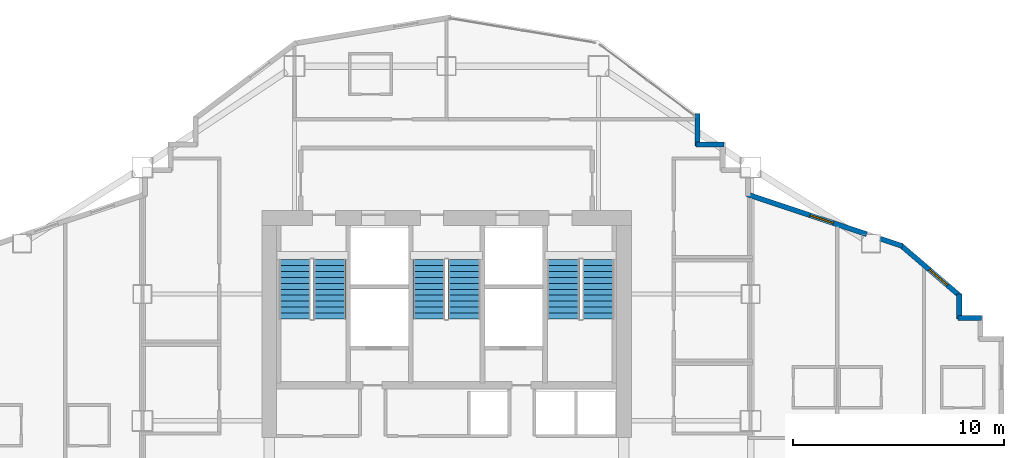
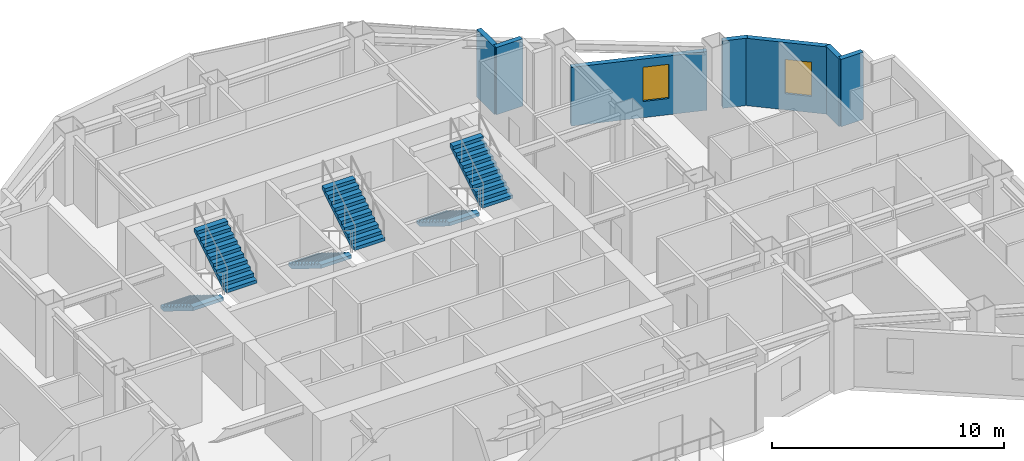
# One storey, part 13 of 15: 7 walls, 6 stair flights, 2 windows, 2 openings, 3 elements without a shape of their own.
"""IFC4 building model written with IfcOpenShell, lengths in metres."""

import ifcopenshell
import ifcopenshell.guid

model = None  # the IFC model being written
_history = None  # IfcOwnerHistory: only IFC2X3 demands one
_inside = {}  # id of a spatial element -> (the spatial element, [elements in it])
_under = {}  # id of a project, library or spatial element -> (it, [spatial elements below it])
_declared = {}  # id of a project -> (the project, [libraries it declares])
_typed = {}  # id of a type object -> (the type object, [elements of that type])
_made_of = {}  # id of a material, layer set ... -> (it, [elements and type objects made of it])


def new_model(schema):
    """Start an empty IFC model of exactly this schema.

    Asked for "IFC4X3", IfcOpenShell would pick the latest addendum, in which some entities
    have other attributes; the version numbers below select the first issue.
    IFC2X3 requires an IfcOwnerHistory on every rooted entity: one is made here for all.
    """
    global model, _history
    if schema == "IFC4X3":
        model = ifcopenshell.file(schema_version=(4, 3, 0, 0))
    else:
        model = ifcopenshell.file(schema=schema)
    _inside.clear()
    _under.clear()
    _declared.clear()
    _typed.clear()
    _made_of.clear()
    _history = None
    if model.schema == "IFC2X3":
        org = make("IfcOrganization", Name="unknown")
        user = make(
            "IfcPersonAndOrganization",
            ThePerson=make("IfcPerson", FamilyName="unknown"),
            TheOrganization=org,
        )
        app = make(
            "IfcApplication",
            ApplicationDeveloper=org,
            Version="unknown",
            ApplicationFullName="unknown",
            ApplicationIdentifier="unknown",
        )
        _history = make(
            "IfcOwnerHistory",
            OwningUser=user,
            OwningApplication=app,
            ChangeAction="ADDED",
            CreationDate=0,
        )
    return model


def make(cls, **values):
    """One entity of the class cls with the attributes given. An attribute that is None is left unset."""
    return model.create_entity(
        cls, **{name: value for name, value in values.items() if value is not None}
    )


def rooted(cls, **values):
    """An entity with a GlobalId (a new one), such as an element, a storey or a relation."""
    return make(cls, GlobalId=ifcopenshell.guid.new(), OwnerHistory=_history, **values)


def si_unit(unit_type, name, prefix=None):
    """IfcSIUnit, for example si_unit("LENGTHUNIT", "METRE", prefix="MILLI")."""
    return make("IfcSIUnit", UnitType=unit_type, Prefix=prefix, Name=name)


def assignment(units):
    """IfcUnitAssignment: the units of a project."""
    return None if units is None else make("IfcUnitAssignment", Units=units)


def point(xyz):
    """IfcCartesianPoint."""
    return None if xyz is None else make("IfcCartesianPoint", Coordinates=xyz)


def direction(xyz):
    """IfcDirection."""
    return None if xyz is None else make("IfcDirection", DirectionRatios=xyz)


def frame(location, z_axis=None, x_axis=None):
    """IfcAxis2Placement3D, a coordinate frame: its origin and axes. An axis left out is left unset."""
    return make(
        "IfcAxis2Placement3D",
        Location=point(location),
        Axis=direction(z_axis),
        RefDirection=direction(x_axis),
    )


def frame_2d(location, x_axis=None):
    """IfcAxis2Placement2D, a coordinate frame in the plane: its origin and x axis."""
    return make(
        "IfcAxis2Placement2D", Location=point(location), RefDirection=direction(x_axis)
    )


def origin():
    """The frame at (0, 0, 0) with its axes left unset."""
    return frame((0.0, 0.0, 0.0))


def place(relative_to, where):
    """IfcLocalPlacement: puts the frame where relative to a parent placement (None: the world)."""
    return make(
        "IfcLocalPlacement", PlacementRelTo=relative_to, RelativePlacement=where
    )


def context(
    kind, dimensions, precision=None, world=None, true_north=None, identifier=None
):
    """IfcGeometricRepresentationContext, for example the 3D "Model" context."""
    return make(
        "IfcGeometricRepresentationContext",
        ContextIdentifier=identifier,
        ContextType=kind,
        CoordinateSpaceDimension=dimensions,
        Precision=precision,
        WorldCoordinateSystem=world,
        TrueNorth=true_north,
    )


def subcontext(parent, identifier, kind, view, scale=None):
    """IfcGeometricRepresentationSubContext, for example "Body" below "Model"."""
    return make(
        "IfcGeometricRepresentationSubContext",
        ContextIdentifier=identifier,
        ContextType=kind,
        ParentContext=parent,
        TargetScale=scale,
        TargetView=view,
    )


def project(units=None, contexts=None):
    """IfcProject with its units and contexts."""
    return rooted(
        "IfcProject",
        Name="project",
        RepresentationContexts=contexts,
        UnitsInContext=assignment(units),
    )


def spatial(cls, under=None, at=None, **own):
    """A site, building, storey or space (cls), placed at a placement, below another one or the project."""
    s = rooted(cls, ObjectPlacement=at, **own)
    if under is not None:
        _under.setdefault(under.id(), (under, []))[1].append(s)
    return s


def polyline(points):
    """IfcPolyline through the points."""
    return make("IfcPolyline", Points=[point(p) for p in points])


def profile(cls, at=None, kind="AREA", **sizes):
    """A parametric profile (cls). Its sizes go by their IFC names, for example OverallWidth=200.0."""
    return make(cls, ProfileType=kind, Position=at, **sizes)


def rectangle(**sizes):
    """IfcRectangleProfileDef."""
    return profile("IfcRectangleProfileDef", **sizes)


def outline(outer, holes=None, kind="AREA"):
    """IfcArbitraryClosedProfileDef: a profile drawn as a closed curve; with holes, ...WithVoids."""
    if holes is None:
        return make("IfcArbitraryClosedProfileDef", ProfileType=kind, OuterCurve=outer)
    return make(
        "IfcArbitraryProfileDefWithVoids",
        ProfileType=kind,
        OuterCurve=outer,
        InnerCurves=holes,
    )


def extrude(swept, where, along, depth):
    """IfcExtrudedAreaSolid: the profile swept, set in the frame where, extruded along a direction by depth."""
    return make(
        "IfcExtrudedAreaSolid",
        SweptArea=swept,
        Position=where,
        ExtrudedDirection=direction(along),
        Depth=depth,
    )


def shape(context_of_items, identifier, shape_type, items):
    """IfcShapeRepresentation: the items that make up one representation, for example the "Body"."""
    return make(
        "IfcShapeRepresentation",
        ContextOfItems=context_of_items,
        RepresentationIdentifier=identifier,
        RepresentationType=shape_type,
        Items=items,
    )


def material(Name=None, Category=None):
    """IfcMaterial."""
    return make("IfcMaterial", Name=Name, Category=Category)


def layer(
    of_material, thickness, ventilated=None, Name=None, Category=None, Priority=None
):
    """IfcMaterialLayer: one layer of a wall or slab, of a material (None: an air gap)."""
    return make(
        "IfcMaterialLayer",
        Material=of_material,
        LayerThickness=thickness,
        IsVentilated=ventilated,
        Name=Name,
        Category=Category,
        Priority=Priority,
    )


def layer_set(layers, Name=None):
    """IfcMaterialLayerSet."""
    return make("IfcMaterialLayerSet", MaterialLayers=layers, LayerSetName=Name)


def made_of(thing, what):
    """Note that an element or type object is made of a material, layer set ...; save() writes the relation."""
    if what is not None:
        _made_of.setdefault(what.id(), (what, []))[1].append(thing)
    return thing


def type_object(cls, material=None, **own):
    """A type object (cls), such as IfcWallType, which elements share."""
    return made_of(rooted(cls, **own), material)


def element(
    cls,
    number,
    at=None,
    inside=None,
    cuts=None,
    type_object=None,
    material=None,
    context=None,
    identifier="Body",
    shape_type=None,
    held_by="IfcProductDefinitionShape",
    body=None,
    shapes=None,
    **own,
):
    """One element of the class cls, such as IfcWall. Its Tag is "e" and its number.

    at: its placement. inside: the storey or other place that contains it. cuts: it is an
    opening in that element (IfcRelVoidsElement). A single representation is given by context,
    identifier, shape_type and body (its items); several are given by shapes. held_by: the class
    of the entity that holds the representations. save() writes the other relations.
    """
    e = rooted(cls, Tag="e%d" % number, ObjectPlacement=at, **own)
    if body is not None:
        shapes = [shape(context, identifier, shape_type, body)]
    if shapes is not None:
        e.Representation = make(held_by, Representations=shapes)
    if inside is not None:
        _inside.setdefault(inside.id(), (inside, []))[1].append(e)
    if cuts is not None:
        rooted(
            "IfcRelVoidsElement", RelatingBuildingElement=cuts, RelatedOpeningElement=e
        )
    if type_object is not None:
        _typed.setdefault(type_object.id(), (type_object, []))[1].append(e)
    return made_of(e, material)


def fill(opening, filler):
    """IfcRelFillsElement: the door or window that sits in an opening."""
    return rooted(
        "IfcRelFillsElement",
        RelatingOpeningElement=opening,
        RelatedBuildingElement=filler,
    )


def aggregate(whole, parts):
    """IfcRelAggregates: a whole, such as a stair, and the parts it consists of."""
    return rooted("IfcRelAggregates", RelatingObject=whole, RelatedObjects=parts)


def save(model, path):
    """Write the relations noted so far, then the file.

    IfcRelAggregates (storeys below a building ...), IfcRelContainedInSpatialStructure (elements
    in a storey), IfcRelDefinesByType, IfcRelAssociatesMaterial and IfcRelDeclares: one each for
    every whole, place, type object, material and project.
    """
    for whole, parts in _under.values():
        aggregate(whole, parts)
    for where, things in _inside.values():
        rooted(
            "IfcRelContainedInSpatialStructure",
            RelatedElements=things,
            RelatingStructure=where,
        )
    for kind, things in _typed.values():
        rooted("IfcRelDefinesByType", RelatedObjects=things, RelatingType=kind)
    for what, things in _made_of.values():
        rooted("IfcRelAssociatesMaterial", RelatedObjects=things, RelatingMaterial=what)
    for by, libraries in _declared.values():
        rooted("IfcRelDeclares", RelatingContext=by, RelatedDefinitions=libraries)
    model.write(path)


model = new_model("IFC4")

# Units and contexts
model_context = context("Model", 3, precision=1e-05, world=origin(), true_north=direction((0.0, 1.0)))
body_context = subcontext(model_context, "Body", "Model", "MODEL_VIEW")
ifc_project = project(units=[si_unit("LENGTHUNIT", "METRE"), si_unit("AREAUNIT", "SQUARE_METRE"), si_unit("VOLUMEUNIT", "CUBIC_METRE"), si_unit("PLANEANGLEUNIT", "RADIAN"), si_unit("MASSUNIT", "GRAM", prefix="KILO")], contexts=[model_context])

# Site, building, storey
site_placement = place(None, origin())
site = spatial("IfcSite", under=ifc_project, at=site_placement, CompositionType="ELEMENT")
building_placement = place(site_placement, origin())
building = spatial("IfcBuilding", under=site, at=building_placement, Name="Haolan Belvedere Tower", CompositionType="ELEMENT")
storey_placement = place(building_placement, frame((0.0, 0.0, 156.199951171875)))
storey = spatial("IfcBuildingStorey", under=building, at=storey_placement, Name="L39", CompositionType="ELEMENT", Elevation=156.199951171875)

# Walls
ifc_material_1 = material(Name="Precast concrete C40/50", Category="concrete")
ifc_layer = layer(ifc_material_1, 0.239990234375, Name="Precast concrete C40/50")
ifc_layer_set = layer_set([ifc_layer], Name="Precast concrete C40/50")
wall_type = type_object("IfcWallType", Name="WL-EXT-240", PredefinedType="SOLIDWALL", material=ifc_layer_set)
wall_1_placement = place(storey_placement, frame((63.735107421875, 38.47998046875, 0.0), z_axis=(0.0, 0.0, 1.0), x_axis=(-1.0, 0.0, 0.0)))
element("IfcWall", 1, at=wall_1_placement, inside=storey, type_object=wall_type, Name="L39 pale-metal exterior spandrel wall 17.1", PredefinedType="SOLIDWALL", context=body_context, shape_type="SweptSolid", body=[
    extrude(rectangle(XDim=1.110107421875, YDim=0.239990234375, at=frame_2d((0.55517578125, 0.0))), origin(), (0.0, 0.0, 1.0), 3.5400390625),
])
wall_2_placement = place(storey_placement, frame((62.679931640625, 38.425048828125, 0.0), z_axis=(0.0, 0.0, 1.0), x_axis=(0.0, 1.0, 0.0)))
element("IfcWall", 2, at=wall_2_placement, inside=storey, type_object=wall_type, Name="L39 pale-metal exterior spandrel wall 18.1", PredefinedType="SOLIDWALL", context=body_context, shape_type="SweptSolid", body=[
    extrude(rectangle(XDim=1.1748046875, YDim=0.239990234375, at=frame_2d((0.58740234375, 0.0))), origin(), (0.0, 0.0, 1.0), 3.5400390625),
])

# Wall, opening, window
wall_3_placement = place(storey_placement, frame((62.7216796875, 39.509033203125, 0.0), z_axis=(0.0, 0.0, 1.0), x_axis=(-0.759247334792, 0.650802185469, 0.0)))
wall_3 = element("IfcWall", 3, at=wall_3_placement, inside=storey, type_object=wall_type, Name="L39 pale-metal exterior spandrel wall 19.1", PredefinedType="SOLIDWALL", context=body_context, shape_type="SweptSolid", body=[
    extrude(rectangle(XDim=3.71923828125, YDim=0.239990234375, at=frame_2d((1.859619140625, 0.0))), origin(), (0.0, 0.0, 1.0), 3.5400390625),
])
opening_1_placement = place(wall_3_placement, frame((0.779541015625, 0.0, 0.85009765625)))
opening_1 = element("IfcOpeningElement", 4, at=opening_1_placement, cuts=wall_3, Name="Opening W-02", PredefinedType="OPENING", context=body_context, shape_type="SweptSolid", body=[
    extrude(rectangle(XDim=1.14990234375, YDim=1.800048828125, at=frame_2d((0.574951171875, 0.89990234375))), frame((0.0, 0.1298828125, 0.0), z_axis=(0.0, -1.0, 0.0), x_axis=(1.0, 0.0, 0.0)), (0.0, 0.0, 1.0), 0.260009765625),
])
ifc_material_2 = material(Name="Anodised aluminium 6063-T6 and Low-E glass", Category="aluminium")
window_type = type_object("IfcWindowType", Name="WN-DECO-Z2", PartitioningType="SINGLE_PANEL", PredefinedType="WINDOW", material=ifc_material_2)
window_1_placement = place(opening_1_placement, origin())
window_1 = element("IfcWindow", 5, at=window_1_placement, inside=storey, type_object=window_type, Name="L39 Art Deco chevron window 1", OverallHeight=1.800048828125, OverallWidth=1.14990234375, PartitioningType="SINGLE_PANEL", PredefinedType="WINDOW", context=body_context, shape_type="SweptSolid", body=[
    extrude(rectangle(XDim=1.14990234375, YDim=1.800048828125, at=frame_2d((0.574951171875, 0.89990234375))), frame((0.0, 0.030029296875, 0.0), z_axis=(0.0, -1.0, 0.0), x_axis=(1.0, 0.0, 0.0)), (0.0, 0.0, 1.0), 0.06005859375),
])
fill(opening_1, window_1)

# Wall
wall_4_placement = place(storey_placement, frame((59.991943359375, 41.876220703125, 0.0), z_axis=(0.0, 0.0, 1.0), x_axis=(-0.948661238983, 0.316293935527, 0.0)))
element("IfcWall", 6, at=wall_4_placement, inside=storey, type_object=wall_type, Name="L39 pale-metal exterior spandrel wall 20.1", PredefinedType="SOLIDWALL", context=body_context, shape_type="SweptSolid", body=[
    extrude(rectangle(XDim=1.10693359375, YDim=0.239990234375, at=frame_2d((0.553466796875, 0.0))), origin(), (0.0, 0.0, 1.0), 3.5400390625),
])

# Wall, opening, window
wall_5_placement = place(storey_placement, frame((58.294677734375, 42.44189453125, 0.0), z_axis=(0.0, 0.0, 1.0), x_axis=(-0.948687385027, 0.316215504823, 0.0)))
wall_5 = element("IfcWall", 7, at=wall_5_placement, inside=storey, type_object=wall_type, Name="L39 pale-metal exterior spandrel wall 20.2", PredefinedType="SOLIDWALL", context=body_context, shape_type="SweptSolid", body=[
    extrude(rectangle(XDim=5.973388671875, YDim=0.239990234375, at=frame_2d((2.98681640625, 0.0))), origin(), (0.0, 0.0, 1.0), 3.0849609375),
])
opening_2_placement = place(wall_5_placement, frame((1.669921875, 0.0, 0.85009765625)))
opening_2 = element("IfcOpeningElement", 8, at=opening_2_placement, cuts=wall_5, Name="Opening W-02", PredefinedType="OPENING", context=body_context, shape_type="SweptSolid", body=[
    extrude(rectangle(XDim=1.14990234375, YDim=1.800048828125, at=frame_2d((0.574951171875, 0.89990234375))), frame((0.0, 0.1298828125, 0.0), z_axis=(0.0, -1.0, 0.0), x_axis=(1.0, 0.0, 0.0)), (0.0, 0.0, 1.0), 0.260009765625),
])
window_2_placement = place(opening_2_placement, origin())
window_2 = element("IfcWindow", 9, at=window_2_placement, inside=storey, type_object=window_type, Name="L39 Art Deco chevron window 1", OverallHeight=1.800048828125, OverallWidth=1.14990234375, PartitioningType="SINGLE_PANEL", PredefinedType="WINDOW", context=body_context, shape_type="SweptSolid", body=[
    extrude(rectangle(XDim=1.14990234375, YDim=1.800048828125, at=frame_2d((0.574951171875, 0.89990234375))), frame((0.0, 0.030029296875, 0.0), z_axis=(0.0, -1.0, 0.0), x_axis=(1.0, 0.0, 0.0)), (0.0, 0.0, 1.0), 0.06005859375),
])
fill(opening_2, window_2)

# Walls
wall_6_placement = place(storey_placement, frame((51.534912109375, 46.679931640625, 0.0), z_axis=(0.0, 0.0, 1.0), x_axis=(-1.0, 0.0, 0.0)))
element("IfcWall", 10, at=wall_6_placement, inside=storey, type_object=wall_type, Name="L39 pale-metal exterior spandrel wall 24.1", PredefinedType="SOLIDWALL", context=body_context, shape_type="SweptSolid", body=[
    extrude(rectangle(XDim=1.309814453125, YDim=0.239990234375, at=frame_2d((0.65478515625, 0.0))), origin(), (0.0, 0.0, 1.0), 3.5400390625),
])
wall_7_placement = place(storey_placement, frame((50.280029296875, 46.625, 0.0), z_axis=(0.0, 0.0, 1.0), x_axis=(0.0, 1.0, 0.0)))
element("IfcWall", 11, at=wall_7_placement, inside=storey, type_object=wall_type, Name="L39 pale-metal exterior spandrel wall 25.1", PredefinedType="SOLIDWALL", context=body_context, shape_type="SweptSolid", body=[
    extrude(rectangle(XDim=1.5400390625, YDim=0.239990234375, at=frame_2d((0.77001953125, 0.0))), origin(), (0.0, 0.0, 1.0), 3.5400390625),
])

# Stair, stair flights
ifc_material_3 = material(Name="Concrete C40/50", Category="concrete")
stair_type = type_object("IfcStairType", Name="STR-DL-22R-173", PredefinedType="HALF_TURN_STAIR", material=ifc_material_3)
stair_1_placement = place(storey_placement, origin())
stair_1 = element("IfcStair", 12, at=stair_1_placement, inside=storey, type_object=stair_type, Name="L39 Smokeproof Core Exit Stair ST1", PredefinedType="HALF_TURN_STAIR")
stair_flight_type = type_object("IfcStairFlightType", Name="SFL-DL-11R-173", PredefinedType="STRAIGHT", material=ifc_material_3)
stair_flight_1_placement = place(storey_placement, frame((31.2099609375, 41.22998046875, 0.0), z_axis=(0.0, 0.0, 1.0), x_axis=(0.0, -1.0, 0.0)))
stair_flight_1 = element("IfcStairFlight", 13, at=stair_flight_1_placement, type_object=stair_flight_type, Name="ST1 flight 1", NumberOfRisers=11, NumberOfTreads=10, PredefinedType="STRAIGHT", RiserHeight=0.172727273, TreadLength=0.28, context=body_context, shape_type="SweptSolid", body=[
    extrude(outline(polyline([(0.0, 0.0), (0.0, 0.172607421875), (0.280029296875, 0.172607421875), (0.280029296875, 0.345458984375), (0.56005859375, 0.345458984375), (0.56005859375, 0.51806640625), (0.840087890625, 0.51806640625), (0.840087890625, 0.69091796875), (1.1201171875, 0.69091796875), (1.1201171875, 0.863525390625), (1.39990234375, 0.863525390625), (1.39990234375, 1.036376953125), (1.679931640625, 1.036376953125), (1.679931640625, 1.208984375), (1.9599609375, 1.208984375), (1.9599609375, 1.3818359375), (2.239990234375, 1.3818359375), (2.239990234375, 1.554443359375), (2.52001953125, 1.554443359375), (2.52001953125, 1.727294921875), (2.800048828125, 1.727294921875), (2.800048828125, 1.89990234375), (2.800048828125, 1.551025390625), (0.285400390625, 0.0), (0.0, 0.0)])), frame((0.0, 0.760009765625, 0.0), z_axis=(0.0, -1.0, 0.0), x_axis=(1.0, 0.0, 0.0)), (0.0, 0.0, 1.0), 1.52001953125),
])
stair_flight_2_placement = place(storey_placement, frame((32.8701171875, 38.429931640625, 1.900146484375), z_axis=(0.0, 0.0, 1.0), x_axis=(0.0, 1.0, 0.0)))
stair_flight_2 = element("IfcStairFlight", 14, at=stair_flight_2_placement, type_object=stair_flight_type, Name="ST1 flight 2", NumberOfRisers=11, NumberOfTreads=10, PredefinedType="STRAIGHT", RiserHeight=0.172727273, TreadLength=0.28, context=body_context, shape_type="SweptSolid", body=[
    extrude(outline(polyline([(0.0, 0.0), (0.0, 0.172607421875), (0.280029296875, 0.172607421875), (0.280029296875, 0.345458984375), (0.56005859375, 0.345458984375), (0.56005859375, 0.51806640625), (0.840087890625, 0.51806640625), (0.840087890625, 0.69091796875), (1.1201171875, 0.69091796875), (1.1201171875, 0.863525390625), (1.39990234375, 0.863525390625), (1.39990234375, 1.036376953125), (1.679931640625, 1.036376953125), (1.679931640625, 1.208984375), (1.9599609375, 1.208984375), (1.9599609375, 1.3818359375), (2.239990234375, 1.3818359375), (2.239990234375, 1.554443359375), (2.52001953125, 1.554443359375), (2.52001953125, 1.727294921875), (2.800048828125, 1.727294921875), (2.800048828125, 1.89990234375), (2.800048828125, 1.551025390625), (0.285400390625, 0.0), (0.0, 0.0)])), frame((0.0, 0.760009765625, 0.0), z_axis=(0.0, -1.0, 0.0), x_axis=(1.0, 0.0, 0.0)), (0.0, 0.0, 1.0), 1.52001953125),
])
aggregate(stair_1, [stair_flight_1, stair_flight_2])

stair_2_placement = place(storey_placement, origin())
stair_2 = element("IfcStair", 15, at=stair_2_placement, inside=storey, type_object=stair_type, Name="L39 Smokeproof Core Exit Stair ST3", PredefinedType="HALF_TURN_STAIR")
stair_flight_3_placement = place(storey_placement, frame((37.570068359375, 41.22998046875, 0.0), z_axis=(0.0, 0.0, 1.0), x_axis=(0.0, -1.0, 0.0)))
stair_flight_3 = element("IfcStairFlight", 16, at=stair_flight_3_placement, type_object=stair_flight_type, Name="ST3 flight 1", NumberOfRisers=11, NumberOfTreads=10, PredefinedType="STRAIGHT", RiserHeight=0.172727273, TreadLength=0.28, context=body_context, shape_type="SweptSolid", body=[
    extrude(outline(polyline([(0.0, 0.0), (0.0, 0.172607421875), (0.280029296875, 0.172607421875), (0.280029296875, 0.345458984375), (0.56005859375, 0.345458984375), (0.56005859375, 0.51806640625), (0.840087890625, 0.51806640625), (0.840087890625, 0.69091796875), (1.1201171875, 0.69091796875), (1.1201171875, 0.863525390625), (1.39990234375, 0.863525390625), (1.39990234375, 1.036376953125), (1.679931640625, 1.036376953125), (1.679931640625, 1.208984375), (1.9599609375, 1.208984375), (1.9599609375, 1.3818359375), (2.239990234375, 1.3818359375), (2.239990234375, 1.554443359375), (2.52001953125, 1.554443359375), (2.52001953125, 1.727294921875), (2.800048828125, 1.727294921875), (2.800048828125, 1.89990234375), (2.800048828125, 1.551025390625), (0.285400390625, 0.0), (0.0, 0.0)])), frame((0.0, 0.760009765625, 0.0), z_axis=(0.0, -1.0, 0.0), x_axis=(1.0, 0.0, 0.0)), (0.0, 0.0, 1.0), 1.52001953125),
])
stair_flight_4_placement = place(storey_placement, frame((39.22998046875, 38.429931640625, 1.900146484375), z_axis=(0.0, 0.0, 1.0), x_axis=(0.0, 1.0, 0.0)))
stair_flight_4 = element("IfcStairFlight", 17, at=stair_flight_4_placement, type_object=stair_flight_type, Name="ST3 flight 2", NumberOfRisers=11, NumberOfTreads=10, PredefinedType="STRAIGHT", RiserHeight=0.172727273, TreadLength=0.28, context=body_context, shape_type="SweptSolid", body=[
    extrude(outline(polyline([(0.0, 0.0), (0.0, 0.172607421875), (0.280029296875, 0.172607421875), (0.280029296875, 0.345458984375), (0.56005859375, 0.345458984375), (0.56005859375, 0.51806640625), (0.840087890625, 0.51806640625), (0.840087890625, 0.69091796875), (1.1201171875, 0.69091796875), (1.1201171875, 0.863525390625), (1.39990234375, 0.863525390625), (1.39990234375, 1.036376953125), (1.679931640625, 1.036376953125), (1.679931640625, 1.208984375), (1.9599609375, 1.208984375), (1.9599609375, 1.3818359375), (2.239990234375, 1.3818359375), (2.239990234375, 1.554443359375), (2.52001953125, 1.554443359375), (2.52001953125, 1.727294921875), (2.800048828125, 1.727294921875), (2.800048828125, 1.89990234375), (2.800048828125, 1.551025390625), (0.285400390625, 0.0), (0.0, 0.0)])), frame((0.0, 0.760009765625, 0.0), z_axis=(0.0, -1.0, 0.0), x_axis=(1.0, 0.0, 0.0)), (0.0, 0.0, 1.0), 1.52001953125),
])
aggregate(stair_2, [stair_flight_3, stair_flight_4])

stair_3_placement = place(storey_placement, origin())
stair_3 = element("IfcStair", 18, at=stair_3_placement, inside=storey, type_object=stair_type, Name="L39 Smokeproof Core Exit Stair ST2", PredefinedType="HALF_TURN_STAIR")
stair_flight_5_placement = place(storey_placement, frame((43.929931640625, 41.22998046875, 0.0), z_axis=(0.0, 0.0, 1.0), x_axis=(0.0, -1.0, 0.0)))
stair_flight_5 = element("IfcStairFlight", 19, at=stair_flight_5_placement, type_object=stair_flight_type, Name="ST2 flight 1", NumberOfRisers=11, NumberOfTreads=10, PredefinedType="STRAIGHT", RiserHeight=0.172727273, TreadLength=0.28, context=body_context, shape_type="SweptSolid", body=[
    extrude(outline(polyline([(0.0, 0.0), (0.0, 0.172607421875), (0.280029296875, 0.172607421875), (0.280029296875, 0.345458984375), (0.56005859375, 0.345458984375), (0.56005859375, 0.51806640625), (0.840087890625, 0.51806640625), (0.840087890625, 0.69091796875), (1.1201171875, 0.69091796875), (1.1201171875, 0.863525390625), (1.39990234375, 0.863525390625), (1.39990234375, 1.036376953125), (1.679931640625, 1.036376953125), (1.679931640625, 1.208984375), (1.9599609375, 1.208984375), (1.9599609375, 1.3818359375), (2.239990234375, 1.3818359375), (2.239990234375, 1.554443359375), (2.52001953125, 1.554443359375), (2.52001953125, 1.727294921875), (2.800048828125, 1.727294921875), (2.800048828125, 1.89990234375), (2.800048828125, 1.551025390625), (0.285400390625, 0.0), (0.0, 0.0)])), frame((0.0, 0.760009765625, 0.0), z_axis=(0.0, -1.0, 0.0), x_axis=(1.0, 0.0, 0.0)), (0.0, 0.0, 1.0), 1.52001953125),
])
stair_flight_6_placement = place(storey_placement, frame((45.590087890625, 38.429931640625, 1.900146484375), z_axis=(0.0, 0.0, 1.0), x_axis=(0.0, 1.0, 0.0)))
stair_flight_6 = element("IfcStairFlight", 20, at=stair_flight_6_placement, type_object=stair_flight_type, Name="ST2 flight 2", NumberOfRisers=11, NumberOfTreads=10, PredefinedType="STRAIGHT", RiserHeight=0.172727273, TreadLength=0.28, context=body_context, shape_type="SweptSolid", body=[
    extrude(outline(polyline([(0.0, 0.0), (0.0, 0.172607421875), (0.280029296875, 0.172607421875), (0.280029296875, 0.345458984375), (0.56005859375, 0.345458984375), (0.56005859375, 0.51806640625), (0.840087890625, 0.51806640625), (0.840087890625, 0.69091796875), (1.1201171875, 0.69091796875), (1.1201171875, 0.863525390625), (1.39990234375, 0.863525390625), (1.39990234375, 1.036376953125), (1.679931640625, 1.036376953125), (1.679931640625, 1.208984375), (1.9599609375, 1.208984375), (1.9599609375, 1.3818359375), (2.239990234375, 1.3818359375), (2.239990234375, 1.554443359375), (2.52001953125, 1.554443359375), (2.52001953125, 1.727294921875), (2.800048828125, 1.727294921875), (2.800048828125, 1.89990234375), (2.800048828125, 1.551025390625), (0.285400390625, 0.0), (0.0, 0.0)])), frame((0.0, 0.760009765625, 0.0), z_axis=(0.0, -1.0, 0.0), x_axis=(1.0, 0.0, 0.0)), (0.0, 0.0, 1.0), 1.52001953125),
])
aggregate(stair_3, [stair_flight_5, stair_flight_6])

save(model, "model.ifc")
